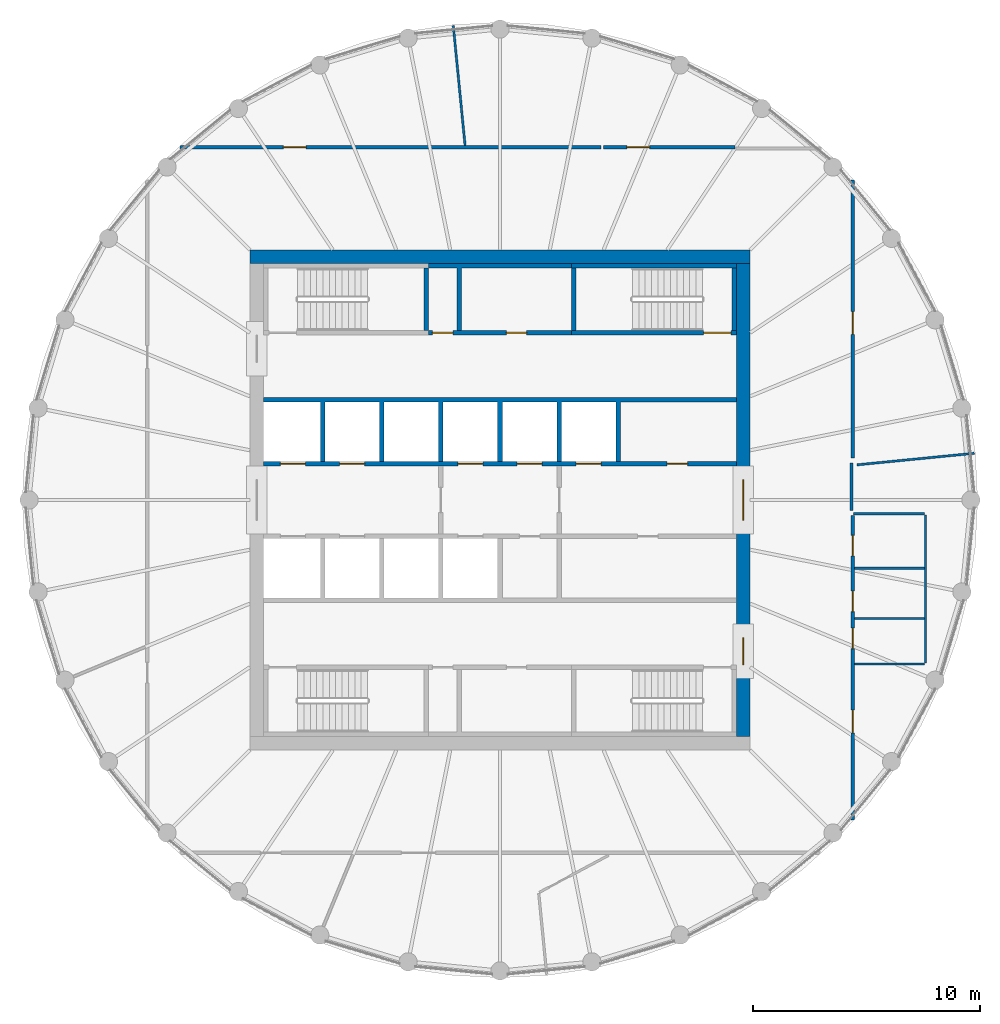
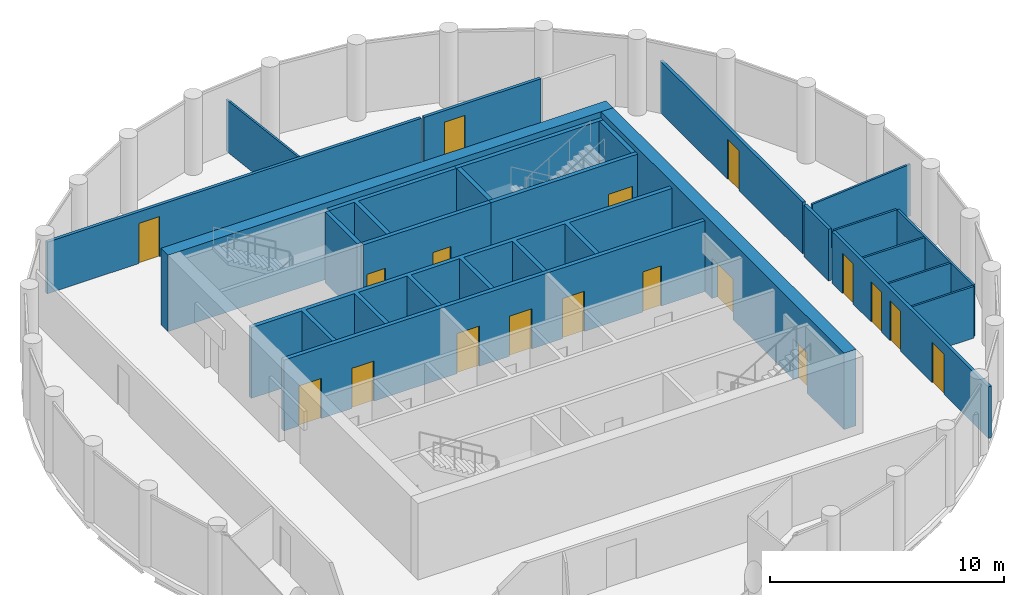
# One storey, part 5 of 7: 23 walls, 18 doors, 18 openings.
"""IFC4 building model written with IfcOpenShell, lengths in metres."""

from ifc_helpers import new_model, si_unit, direction, frame, frame_2d, origin, place, context, subcontext, project, spatial, polyline, rectangle, outline, extrude, material, layer, layer_set, type_object, element, fill, save


model = new_model("IFC4")

# Units and contexts
model_context = context("Model", 3, precision=1e-05, world=origin(), true_north=direction((0.0, 1.0)))
body_context = subcontext(model_context, "Body", "Model", "MODEL_VIEW")
ifc_project = project(units=[si_unit("LENGTHUNIT", "METRE"), si_unit("AREAUNIT", "SQUARE_METRE"), si_unit("VOLUMEUNIT", "CUBIC_METRE"), si_unit("PLANEANGLEUNIT", "RADIAN"), si_unit("MASSUNIT", "GRAM", prefix="KILO")], contexts=[model_context])

# Site, building, storey
site_placement = place(None, origin())
site = spatial("IfcSite", under=ifc_project, at=site_placement, CompositionType="ELEMENT")
building_placement = place(site_placement, origin())
building = spatial("IfcBuilding", under=site, at=building_placement, Name="Corvane Civic Tower", CompositionType="ELEMENT")
storey_placement = place(building_placement, frame((0.0, 0.0, 352.5)))
storey = spatial("IfcBuildingStorey", under=building, at=storey_placement, Name="L84", CompositionType="ELEMENT", Elevation=352.5)

# Wall
ifc_material_1 = material(Name="Concrete C40/50", Category="concrete")
ifc_layer_1 = layer(ifc_material_1, 0.60009765625)
ifc_layer_set_1 = layer_set([ifc_layer_1], Name="Concrete C40/50")
wall_type_1 = type_object("IfcWallType", Name="CORE WALL 600 C40/50", PredefinedType="SHEAR", material=ifc_layer_set_1)
wall_1_placement = place(storey_placement, frame((-11.0, 10.699951171875, 0.0), z_axis=(0.0, 0.0, 1.0), x_axis=(1.0, 0.0, 0.0)))
element("IfcWall", 1, at=wall_1_placement, inside=storey, type_object=wall_type_1, Name="W-L84-core-N", PredefinedType="SHEAR", context=body_context, shape_type="SweptSolid", body=[
    extrude(rectangle(XDim=22.0, YDim=0.60009765625, at=frame_2d((11.0, 0.0))), origin(), (0.0, 0.0, 1.0), 4.0),
])

# Wall, openings, doors
wall_2_placement = place(storey_placement, frame((10.699951171875, -10.39990234375, 0.0), z_axis=(0.0, 0.0, 1.0), x_axis=(0.0, 1.0, 0.0)))
wall_2 = element("IfcWall", 2, at=wall_2_placement, inside=storey, type_object=wall_type_1, Name="W-L84-core-E", PredefinedType="SHEAR", context=body_context, shape_type="SweptSolid", body=[
    extrude(rectangle(XDim=20.7998046875, YDim=0.60009765625, at=frame_2d((10.39990234375, 0.0))), origin(), (0.0, 0.0, 1.0), 4.0),
])
opening_1_placement = place(wall_2_placement, frame((9.5, 0.0, 0.0)))
opening_1 = element("IfcOpeningElement", 3, at=opening_1_placement, cuts=wall_2, Name="Opening L84.C15", PredefinedType="OPENING", context=body_context, shape_type="SweptSolid", body=[
    extrude(rectangle(XDim=1.800048828125, YDim=2.10009765625, at=frame_2d((0.89990234375, 1.050048828125))), frame((0.0, 0.31005859375, 0.0), z_axis=(0.0, -1.0, 0.0), x_axis=(1.0, 0.0, 0.0)), (0.0, 0.0, 1.0), 0.6201171875),
])
opening_2_placement = place(wall_2_placement, frame((3.14990234375, 0.0, 0.0)))
opening_2 = element("IfcOpeningElement", 4, at=opening_2_placement, cuts=wall_2, Name="Opening L84.C17", PredefinedType="OPENING", context=body_context, shape_type="SweptSolid", body=[
    extrude(rectangle(XDim=1.199951171875, YDim=2.10009765625, at=frame_2d((0.60009765625, 1.050048828125))), frame((0.0, 0.31005859375, 0.0), z_axis=(0.0, -1.0, 0.0), x_axis=(1.0, 0.0, 0.0)), (0.0, 0.0, 1.0), 0.6201171875),
])
ifc_material_2 = material(Name="Steel fire door leaf", Category="steel")
door_type_1 = type_object("IfcDoorType", Name="CR-DOOR-CORE-1800", OperationType="DOUBLE_DOOR_SINGLE_SWING", PredefinedType="DOOR", material=ifc_material_2)
door_1_placement = place(opening_1_placement, origin())
door_1 = element("IfcDoor", 5, at=door_1_placement, inside=storey, type_object=door_type_1, Name="L84 door", OperationType="DOUBLE_DOOR_SINGLE_SWING", OverallHeight=2.10009765625, OverallWidth=1.800048828125, PredefinedType="DOOR", context=body_context, shape_type="SweptSolid", body=[
    extrude(rectangle(XDim=1.800048828125, YDim=2.10009765625, at=frame_2d((0.89990234375, 1.050048828125))), frame((0.0, 0.02490234375, 0.0), z_axis=(0.0, -1.0, 0.0), x_axis=(1.0, 0.0, 0.0)), (0.0, 0.0, 1.0), 0.050048828125),
])
fill(opening_1, door_1)
door_2_placement = place(opening_2_placement, origin())
door_2 = element("IfcDoor", 6, at=door_2_placement, inside=storey, type_object=door_type_1, Name="L84 door", OperationType="DOUBLE_DOOR_SINGLE_SWING", OverallHeight=2.10009765625, OverallWidth=1.199951171875, PredefinedType="DOOR", context=body_context, shape_type="SweptSolid", body=[
    extrude(rectangle(XDim=1.199951171875, YDim=2.10009765625, at=frame_2d((0.60009765625, 1.050048828125))), frame((0.0, 0.02490234375, 0.0), z_axis=(0.0, -1.0, 0.0), x_axis=(1.0, 0.0, 0.0)), (0.0, 0.0, 1.0), 0.050048828125),
])
fill(opening_2, door_2)

ifc_material_3 = material(Name="Concrete C30/37", Category="concrete")
ifc_layer_2 = layer(ifc_material_3, 0.199951171875)
ifc_layer_set_2 = layer_set([ifc_layer_2], Name="Concrete C30/37")
wall_type_2 = type_object("IfcWallType", Name="CR-WALL-200", PredefinedType="PARTITIONING", material=ifc_layer_set_2)
wall_3_placement = place(storey_placement, frame((-10.39990234375, 1.60009765625, 0.0), z_axis=(0.0, 0.0, 1.0), x_axis=(1.0, 0.0, 0.0)))
wall_3 = element("IfcWall", 7, at=wall_3_placement, inside=storey, type_object=wall_type_2, Name="L84 lift shaft wall", PredefinedType="PARTITIONING", context=body_context, shape_type="SweptSolid", body=[
    extrude(rectangle(XDim=20.7998046875, YDim=0.199951171875, at=frame_2d((10.39990234375, 0.0))), origin(), (0.0, 0.0, 1.0), 3.699951171875),
])
opening_3_placement = place(wall_3_placement, frame((0.75, 0.0, 0.0)))
opening_3 = element("IfcOpeningElement", 8, at=opening_3_placement, cuts=wall_3, Name="Opening LD", PredefinedType="OPENING", context=body_context, shape_type="SweptSolid", body=[
    extrude(rectangle(XDim=1.10009765625, YDim=2.10009765625, at=frame_2d((0.550048828125, 1.050048828125))), frame((0.0, 0.10986328125, 0.0), z_axis=(0.0, -1.0, 0.0), x_axis=(1.0, 0.0, 0.0)), (0.0, 0.0, 1.0), 0.219970703125),
])
opening_4_placement = place(wall_3_placement, frame((3.35009765625, 0.0, 0.0)))
opening_4 = element("IfcOpeningElement", 9, at=opening_4_placement, cuts=wall_3, Name="Opening LD", PredefinedType="OPENING", context=body_context, shape_type="SweptSolid", body=[
    extrude(rectangle(XDim=1.10009765625, YDim=2.10009765625, at=frame_2d((0.550048828125, 1.050048828125))), frame((0.0, 0.10986328125, 0.0), z_axis=(0.0, -1.0, 0.0), x_axis=(1.0, 0.0, 0.0)), (0.0, 0.0, 1.0), 0.219970703125),
])
opening_5_placement = place(wall_3_placement, frame((8.550048828125, 0.0, 0.0)))
opening_5 = element("IfcOpeningElement", 10, at=opening_5_placement, cuts=wall_3, Name="Opening LD", PredefinedType="OPENING", context=body_context, shape_type="SweptSolid", body=[
    extrude(rectangle(XDim=1.10009765625, YDim=2.10009765625, at=frame_2d((0.550048828125, 1.050048828125))), frame((0.0, 0.10986328125, 0.0), z_axis=(0.0, -1.0, 0.0), x_axis=(1.0, 0.0, 0.0)), (0.0, 0.0, 1.0), 0.219970703125),
])
opening_6_placement = place(wall_3_placement, frame((11.14990234375, 0.0, 0.0)))
opening_6 = element("IfcOpeningElement", 11, at=opening_6_placement, cuts=wall_3, Name="Opening LD", PredefinedType="OPENING", context=body_context, shape_type="SweptSolid", body=[
    extrude(rectangle(XDim=1.10009765625, YDim=2.10009765625, at=frame_2d((0.550048828125, 1.050048828125))), frame((0.0, 0.10986328125, 0.0), z_axis=(0.0, -1.0, 0.0), x_axis=(1.0, 0.0, 0.0)), (0.0, 0.0, 1.0), 0.219970703125),
])
opening_7_placement = place(wall_3_placement, frame((13.75, 0.0, 0.0)))
opening_7 = element("IfcOpeningElement", 12, at=opening_7_placement, cuts=wall_3, Name="Opening LD", PredefinedType="OPENING", context=body_context, shape_type="SweptSolid", body=[
    extrude(rectangle(XDim=1.10009765625, YDim=2.10009765625, at=frame_2d((0.550048828125, 1.050048828125))), frame((0.0, 0.10986328125, 0.0), z_axis=(0.0, -1.0, 0.0), x_axis=(1.0, 0.0, 0.0)), (0.0, 0.0, 1.0), 0.219970703125),
])
opening_8_placement = place(wall_3_placement, frame((17.75, 0.0, 0.0)))
opening_8 = element("IfcOpeningElement", 13, at=opening_8_placement, cuts=wall_3, Name="Opening L84.C01", PredefinedType="OPENING", context=body_context, shape_type="SweptSolid", body=[
    extrude(rectangle(XDim=0.89990234375, YDim=2.10009765625, at=frame_2d((0.449951171875, 1.050048828125))), frame((0.0, 0.10986328125, 0.0), z_axis=(0.0, -1.0, 0.0), x_axis=(1.0, 0.0, 0.0)), (0.0, 0.0, 1.0), 0.219970703125),
])
ifc_material_4 = material(Name="Steel fire door leaf", Category="steel")
door_type_2 = type_object("IfcDoorType", Name="CR-DOOR-900", OperationType="SINGLE_SWING_LEFT", PredefinedType="DOOR", material=ifc_material_4)
door_3_placement = place(opening_8_placement, origin())
door_3 = element("IfcDoor", 14, at=door_3_placement, inside=storey, type_object=door_type_2, Name="L84 door", OperationType="SINGLE_SWING_LEFT", OverallHeight=2.10009765625, OverallWidth=0.89990234375, PredefinedType="DOOR", context=body_context, shape_type="SweptSolid", body=[
    extrude(rectangle(XDim=0.89990234375, YDim=2.10009765625, at=frame_2d((0.449951171875, 1.050048828125))), frame((0.0, 0.02490234375, 0.0), z_axis=(0.0, -1.0, 0.0), x_axis=(1.0, 0.0, 0.0)), (0.0, 0.0, 1.0), 0.050048828125),
])
fill(opening_8, door_3)
ifc_material_5 = material(Name="Stainless steel 316 door leaves", Category="steel")
door_type_3 = type_object("IfcDoorType", Name="LD", OperationType="DOUBLE_DOOR_SLIDING", PredefinedType="DOOR", material=ifc_material_5)
door_4_placement = place(opening_3_placement, origin())
door_4 = element("IfcDoor", 15, at=door_4_placement, inside=storey, type_object=door_type_3, Name="L84 landing door", OperationType="DOUBLE_DOOR_SLIDING", OverallHeight=2.10009765625, OverallWidth=1.10009765625, PredefinedType="DOOR", context=body_context, shape_type="SweptSolid", body=[
    extrude(rectangle(XDim=1.10009765625, YDim=2.10009765625, at=frame_2d((0.550048828125, 1.050048828125))), frame((0.0, 0.02490234375, 0.0), z_axis=(0.0, -1.0, 0.0), x_axis=(1.0, 0.0, 0.0)), (0.0, 0.0, 1.0), 0.050048828125),
])
fill(opening_3, door_4)
door_5_placement = place(opening_4_placement, origin())
door_5 = element("IfcDoor", 16, at=door_5_placement, inside=storey, type_object=door_type_3, Name="L84 landing door", OperationType="DOUBLE_DOOR_SLIDING", OverallHeight=2.10009765625, OverallWidth=1.10009765625, PredefinedType="DOOR", context=body_context, shape_type="SweptSolid", body=[
    extrude(rectangle(XDim=1.10009765625, YDim=2.10009765625, at=frame_2d((0.550048828125, 1.050048828125))), frame((0.0, 0.02490234375, 0.0), z_axis=(0.0, -1.0, 0.0), x_axis=(1.0, 0.0, 0.0)), (0.0, 0.0, 1.0), 0.050048828125),
])
fill(opening_4, door_5)
door_6_placement = place(opening_5_placement, origin())
door_6 = element("IfcDoor", 17, at=door_6_placement, inside=storey, type_object=door_type_3, Name="L84 landing door", OperationType="DOUBLE_DOOR_SLIDING", OverallHeight=2.10009765625, OverallWidth=1.10009765625, PredefinedType="DOOR", context=body_context, shape_type="SweptSolid", body=[
    extrude(rectangle(XDim=1.10009765625, YDim=2.10009765625, at=frame_2d((0.550048828125, 1.050048828125))), frame((0.0, 0.02490234375, 0.0), z_axis=(0.0, -1.0, 0.0), x_axis=(1.0, 0.0, 0.0)), (0.0, 0.0, 1.0), 0.050048828125),
])
fill(opening_5, door_6)
door_7_placement = place(opening_6_placement, origin())
door_7 = element("IfcDoor", 18, at=door_7_placement, inside=storey, type_object=door_type_3, Name="L84 landing door", OperationType="DOUBLE_DOOR_SLIDING", OverallHeight=2.10009765625, OverallWidth=1.10009765625, PredefinedType="DOOR", context=body_context, shape_type="SweptSolid", body=[
    extrude(rectangle(XDim=1.10009765625, YDim=2.10009765625, at=frame_2d((0.550048828125, 1.050048828125))), frame((0.0, 0.02490234375, 0.0), z_axis=(0.0, -1.0, 0.0), x_axis=(1.0, 0.0, 0.0)), (0.0, 0.0, 1.0), 0.050048828125),
])
fill(opening_6, door_7)
door_8_placement = place(opening_7_placement, origin())
door_8 = element("IfcDoor", 19, at=door_8_placement, inside=storey, type_object=door_type_3, Name="L84 landing door", OperationType="DOUBLE_DOOR_SLIDING", OverallHeight=2.10009765625, OverallWidth=1.10009765625, PredefinedType="DOOR", context=body_context, shape_type="SweptSolid", body=[
    extrude(rectangle(XDim=1.10009765625, YDim=2.10009765625, at=frame_2d((0.550048828125, 1.050048828125))), frame((0.0, 0.02490234375, 0.0), z_axis=(0.0, -1.0, 0.0), x_axis=(1.0, 0.0, 0.0)), (0.0, 0.0, 1.0), 0.050048828125),
])
fill(opening_7, door_8)

wall_4_placement = place(storey_placement, frame((-3.14990234375, 7.35009765625, 0.0), z_axis=(0.0, 0.0, 1.0), x_axis=(1.0, 0.0, 0.0)))
wall_4 = element("IfcWall", 20, at=wall_4_placement, inside=storey, type_object=wall_type_2, Name="L84 core partition wall", PredefinedType="PARTITIONING", context=body_context, shape_type="SweptSolid", body=[
    extrude(rectangle(XDim=6.2998046875, YDim=0.199951171875, at=frame_2d((3.14990234375, 0.0))), origin(), (0.0, 0.0, 1.0), 3.699951171875),
])
opening_9_placement = place(wall_4_placement, frame((0.175048828125, 0.0, 0.0)))
opening_9 = element("IfcOpeningElement", 21, at=opening_9_placement, cuts=wall_4, Name="Opening L84.C04", PredefinedType="OPENING", context=body_context, shape_type="SweptSolid", body=[
    extrude(rectangle(XDim=0.89990234375, YDim=2.10009765625, at=frame_2d((0.449951171875, 1.050048828125))), frame((0.0, 0.10986328125, 0.0), z_axis=(0.0, -1.0, 0.0), x_axis=(1.0, 0.0, 0.0)), (0.0, 0.0, 1.0), 0.219970703125),
])
opening_10_placement = place(wall_4_placement, frame((3.425048828125, 0.0, 0.0)))
opening_10 = element("IfcOpeningElement", 22, at=opening_10_placement, cuts=wall_4, Name="Opening L84.C05", PredefinedType="OPENING", context=body_context, shape_type="SweptSolid", body=[
    extrude(rectangle(XDim=0.89990234375, YDim=2.10009765625, at=frame_2d((0.449951171875, 1.050048828125))), frame((0.0, 0.10986328125, 0.0), z_axis=(0.0, -1.0, 0.0), x_axis=(1.0, 0.0, 0.0)), (0.0, 0.0, 1.0), 0.219970703125),
])
door_9_placement = place(opening_9_placement, origin())
door_9 = element("IfcDoor", 23, at=door_9_placement, inside=storey, type_object=door_type_2, Name="L84 door", OperationType="SINGLE_SWING_LEFT", OverallHeight=2.10009765625, OverallWidth=0.89990234375, PredefinedType="DOOR", context=body_context, shape_type="SweptSolid", body=[
    extrude(rectangle(XDim=0.89990234375, YDim=2.10009765625, at=frame_2d((0.449951171875, 1.050048828125))), frame((0.0, 0.02490234375, 0.0), z_axis=(0.0, -1.0, 0.0), x_axis=(1.0, 0.0, 0.0)), (0.0, 0.0, 1.0), 0.050048828125),
])
fill(opening_9, door_9)
door_10_placement = place(opening_10_placement, origin())
door_10 = element("IfcDoor", 24, at=door_10_placement, inside=storey, type_object=door_type_2, Name="L84 door", OperationType="SINGLE_SWING_LEFT", OverallHeight=2.10009765625, OverallWidth=0.89990234375, PredefinedType="DOOR", context=body_context, shape_type="SweptSolid", body=[
    extrude(rectangle(XDim=0.89990234375, YDim=2.10009765625, at=frame_2d((0.449951171875, 1.050048828125))), frame((0.0, 0.02490234375, 0.0), z_axis=(0.0, -1.0, 0.0), x_axis=(1.0, 0.0, 0.0)), (0.0, 0.0, 1.0), 0.050048828125),
])
fill(opening_10, door_10)

# Walls
wall_5_placement = place(storey_placement, origin())
element("IfcWall", 25, at=wall_5_placement, inside=storey, type_object=wall_type_2, Name="L84 core partition wall", PredefinedType="PARTITIONING", context=body_context, shape_type="SweptSolid", body=[
    extrude(outline(polyline([(-7.699951171875, 1.699951171875), (-7.89990234375, 1.699951171875), (-7.89990234375, 4.300048828125), (-10.39990234375, 4.300048828125), (-10.39990234375, 4.5), (10.39990234375, 4.5), (10.39990234375, 4.300048828125), (5.300048828125, 4.300048828125), (5.300048828125, 1.699951171875), (5.10009765625, 1.699951171875), (5.10009765625, 4.300048828125), (2.699951171875, 4.300048828125), (2.699951171875, 1.699951171875), (2.5, 1.699951171875), (2.5, 4.300048828125), (0.10009765625, 4.300048828125), (0.10009765625, 1.699951171875), (-0.10009765625, 1.699951171875), (-0.10009765625, 4.300048828125), (-2.5, 4.300048828125), (-2.5, 1.699951171875), (-2.699951171875, 1.699951171875), (-2.699951171875, 4.300048828125), (-5.10009765625, 4.300048828125), (-5.10009765625, 1.699951171875), (-5.300048828125, 1.699951171875), (-5.300048828125, 4.300048828125), (-7.699951171875, 4.300048828125), (-7.699951171875, 1.699951171875)])), origin(), (0.0, 0.0, 1.0), 3.699951171875),
])
wall_6_placement = place(storey_placement, origin())
element("IfcWall", 26, at=wall_6_placement, inside=storey, type_object=wall_type_2, Name="L84 core partition wall", PredefinedType="PARTITIONING", context=body_context, shape_type="SweptSolid", body=[
    extrude(outline(polyline([(-1.699951171875, 7.449951171875), (-1.89990234375, 7.449951171875), (-1.89990234375, 10.199951171875), (-3.14990234375, 10.199951171875), (-3.14990234375, 10.39990234375), (3.14990234375, 10.39990234375), (3.14990234375, 10.199951171875), (-1.699951171875, 10.199951171875), (-1.699951171875, 7.449951171875)])), origin(), (0.0, 0.0, 1.0), 3.699951171875),
])
ifc_material_6 = material(Name="Plasterboard")
ifc_layer_3 = layer(ifc_material_6, 0.10009765625)
ifc_layer_set_3 = layer_set([ifc_layer_3], Name="Plasterboard")
wall_type_3 = type_object("IfcWallType", Name="Partition 100 plasterboard on studs", PredefinedType="PARTITIONING", material=ifc_layer_set_3)
wall_7_placement = place(storey_placement, frame((15.574951171875, -7.20458984375, 0.0), z_axis=(0.0, 0.0, 1.0), x_axis=(1.0, 0.0, 0.0)))
element("IfcWall", 27, at=wall_7_placement, inside=storey, type_object=wall_type_3, Name="Partition L84.008", PredefinedType="PARTITIONING", context=body_context, shape_type="SweptSolid", body=[
    extrude(rectangle(XDim=3.074951171875, YDim=0.10009765625, at=frame_2d((1.53759765625, 0.0))), origin(), (0.0, 0.0, 1.0), 2.699951171875),
])
wall_8_placement = place(storey_placement, frame((18.699951171875, -7.154541015625, 0.0), z_axis=(0.0, 0.0, 1.0), x_axis=(0.0, 1.0, 0.0)))
element("IfcWall", 28, at=wall_8_placement, inside=storey, type_object=wall_type_3, Name="Partition L84.009", PredefinedType="PARTITIONING", context=body_context, shape_type="SweptSolid", body=[
    extrude(rectangle(XDim=6.5, YDim=0.10009765625, at=frame_2d((3.25, 0.0))), origin(), (0.0, 0.0, 1.0), 2.699951171875),
])
for number, where, z_axis, x_axis, name in (
    (29, (15.574951171875, -5.20458984375, 0.0), (0.0, 0.0, 1.0), (1.0, 0.0, 0.0), "Partition L84.010"),
    (30, (15.574951171875, -3.004638671875, 0.0), (0.0, 0.0, 1.0), (1.0, 0.0, 0.0), "Partition L84.011"),
):
    element("IfcWall", number, at=place(storey_placement, frame(where, z_axis=z_axis, x_axis=x_axis)), inside=storey, type_object=wall_type_3, Name=name, PredefinedType="PARTITIONING", context=body_context, shape_type="SweptSolid", body=[
        extrude(rectangle(XDim=3.074951171875, YDim=0.10009765625, at=frame_2d((1.53759765625, 0.0))), origin(), (0.0, 0.0, 1.0), 2.699951171875),
    ])
wall_9_placement = place(storey_placement, frame((15.550048828125, -0.6044921875, 0.0), z_axis=(0.0, 0.0, 1.0), x_axis=(1.0, 0.0, 0.0)))
element("IfcWall", 31, at=wall_9_placement, inside=storey, type_object=wall_type_3, Name="Partition L84.012", PredefinedType="PARTITIONING", context=body_context, shape_type="SweptSolid", body=[
    extrude(rectangle(XDim=3.099853515625, YDim=0.10009765625, at=frame_2d((1.5498046875, 0.0))), origin(), (0.0, 0.0, 1.0), 2.699951171875),
])
wall_10_placement = place(storey_placement, frame((15.69970703125, 1.54638671875, 0.0), z_axis=(0.0, 0.0, 1.0), x_axis=(0.995186931694, 0.097994749781, 0.0)))
element("IfcWall", 32, at=wall_10_placement, inside=storey, type_object=wall_type_3, Name="Partition L84.014", PredefinedType="PARTITIONING", context=body_context, shape_type="SweptSolid", body=[
    extrude(rectangle(XDim=5.174560546875, YDim=0.10009765625, at=frame_2d((2.58740234375, 0.0))), origin(), (0.0, 0.0, 1.0), 2.699951171875),
])
wall_11_placement = place(storey_placement, frame((-2.053466796875, 20.849365234375, 0.0), z_axis=(0.0, 0.0, 1.0), x_axis=(0.098024517427, -0.995184000064, 0.0)))
element("IfcWall", 33, at=wall_11_placement, inside=storey, type_object=wall_type_3, Name="Partition L84.019", PredefinedType="PARTITIONING", context=body_context, shape_type="SweptSolid", body=[
    extrude(rectangle(XDim=5.294921875, YDim=0.10009765625, at=frame_2d((2.6474609375, 0.0))), origin(), (0.0, 0.0, 1.0), 2.699951171875),
])

# Wall, opening, door
ifc_material_7 = material(Name="Concrete C50/60", Category="concrete")
ifc_layer_4 = layer(ifc_material_7, 0.199951171875)
ifc_layer_set_4 = layer_set([ifc_layer_4], Name="Concrete C50/60")
wall_type_4 = type_object("IfcWallType", Name="ST-WALL-200", PredefinedType="SHEAR", material=ifc_layer_set_4)
wall_12_placement = place(storey_placement, frame((3.14990234375, 7.35009765625, 0.0), z_axis=(0.0, 0.0, 1.0), x_axis=(1.0, 0.0, 0.0)))
wall_12 = element("IfcWall", 34, at=wall_12_placement, inside=storey, type_object=wall_type_4, Name="L84 stair enclosure wall", PredefinedType="SHEAR", context=body_context, shape_type="SweptSolid", body=[
    extrude(rectangle(XDim=7.25, YDim=0.199951171875, at=frame_2d((3.625, 0.0))), origin(), (0.0, 0.0, 1.0), 3.699951171875),
])
opening_11_placement = place(wall_12_placement, frame((5.800048828125, 0.0, 0.0)))
opening_11 = element("IfcOpeningElement", 35, at=opening_11_placement, cuts=wall_12, Name="Opening L84.C08", PredefinedType="OPENING", context=body_context, shape_type="SweptSolid", body=[
    extrude(rectangle(XDim=1.199951171875, YDim=2.10009765625, at=frame_2d((0.60009765625, 1.050048828125))), frame((0.0, 0.10986328125, 0.0), z_axis=(0.0, -1.0, 0.0), x_axis=(1.0, 0.0, 0.0)), (0.0, 0.0, 1.0), 0.219970703125),
])
ifc_material_8 = material(Name="Steel fire door leaf", Category="steel")
door_type_4 = type_object("IfcDoorType", Name="ST-DOOR-1200", OperationType="SINGLE_SWING_RIGHT", PredefinedType="DOOR", material=ifc_material_8)
door_11_placement = place(opening_11_placement, origin())
door_11 = element("IfcDoor", 36, at=door_11_placement, inside=storey, type_object=door_type_4, Name="L84 stair door", OperationType="SINGLE_SWING_RIGHT", OverallHeight=2.10009765625, OverallWidth=1.199951171875, PredefinedType="DOOR", context=body_context, shape_type="SweptSolid", body=[
    extrude(rectangle(XDim=1.199951171875, YDim=2.10009765625, at=frame_2d((0.60009765625, 1.050048828125))), frame((0.0, 0.02490234375, 0.0), z_axis=(0.0, -1.0, 0.0), x_axis=(1.0, 0.0, 0.0)), (0.0, 0.0, 1.0), 0.050048828125),
])
fill(opening_11, door_11)

# Walls
wall_13_placement = place(storey_placement, origin())
element("IfcWall", 37, at=wall_13_placement, inside=storey, type_object=wall_type_4, Name="L84 stair enclosure wall", PredefinedType="SHEAR", context=body_context, shape_type="SweptSolid", body=[
    extrude(outline(polyline([(10.39990234375, 10.199951171875), (3.14990234375, 10.199951171875), (3.14990234375, 10.39990234375), (10.39990234375, 10.39990234375), (10.39990234375, 10.199951171875)])), origin(), (0.0, 0.0, 1.0), 3.699951171875),
])
wall_14_placement = place(storey_placement, origin())
element("IfcWall", 38, at=wall_14_placement, inside=storey, type_object=wall_type_4, Name="L84 stair enclosure wall", PredefinedType="SHEAR", context=body_context, shape_type="SweptSolid", body=[
    extrude(outline(polyline([(-3.14990234375, 7.449951171875), (-3.35009765625, 7.449951171875), (-3.35009765625, 10.199951171875), (-3.14990234375, 10.199951171875), (-3.14990234375, 7.449951171875)])), origin(), (0.0, 0.0, 1.0), 3.699951171875),
])
wall_15_placement = place(storey_placement, origin())
element("IfcWall", 39, at=wall_15_placement, inside=storey, type_object=wall_type_4, Name="L84 stair enclosure wall", PredefinedType="SHEAR", context=body_context, shape_type="SweptSolid", body=[
    extrude(outline(polyline([(3.35009765625, 7.449951171875), (3.14990234375, 7.449951171875), (3.14990234375, 10.199951171875), (3.35009765625, 10.199951171875), (3.35009765625, 7.449951171875)])), origin(), (0.0, 0.0, 1.0), 3.699951171875),
])
wall_16_placement = place(storey_placement, origin())
element("IfcWall", 40, at=wall_16_placement, inside=storey, type_object=wall_type_4, Name="L84 stair enclosure wall", PredefinedType="SHEAR", context=body_context, shape_type="SweptSolid", body=[
    extrude(outline(polyline([(10.39990234375, 7.449951171875), (10.199951171875, 7.449951171875), (10.199951171875, 10.199951171875), (10.39990234375, 10.199951171875), (10.39990234375, 7.449951171875)])), origin(), (0.0, 0.0, 1.0), 3.699951171875),
])

# Wall, openings, doors
ifc_material_9 = material(Name="Plasterboard")
ifc_layer_5 = layer(ifc_material_9, 0.14990234375)
ifc_layer_set_5 = layer_set([ifc_layer_5], Name="Plasterboard")
wall_type_5 = type_object("IfcWallType", Name="Tenancy wall 150 EI 60", PredefinedType="PARTITIONING", material=ifc_layer_set_5)
wall_17_placement = place(storey_placement, frame((15.5, -14.05712890625, 0.0), z_axis=(0.0, 0.0, 1.0), x_axis=(0.0, 1.0, 0.0)))
wall_17 = element("IfcWall", 41, at=wall_17_placement, inside=storey, type_object=wall_type_5, Name="Partition L84.006", PredefinedType="PARTITIONING", context=body_context, shape_type="SweptSolid", body=[
    extrude(rectangle(XDim=13.37744140625, YDim=0.14990234375, at=frame_2d((6.688720703125, 0.0))), origin(), (0.0, 0.0, 1.0), 2.699951171875),
])
opening_12_placement = place(wall_17_placement, frame((3.817138671875, 0.0, 0.0)))
opening_12 = element("IfcOpeningElement", 42, at=opening_12_placement, cuts=wall_17, Name="Opening L84.007", PredefinedType="OPENING", context=body_context, shape_type="SweptSolid", body=[
    extrude(rectangle(XDim=1.0, YDim=2.10009765625, at=frame_2d((0.5, 1.050048828125))), frame((0.0, 0.0849609375, 0.0), z_axis=(0.0, -1.0, 0.0), x_axis=(1.0, 0.0, 0.0)), (0.0, 0.0, 1.0), 0.169921875),
])
opening_13_placement = place(wall_17_placement, frame((11.605712890625, 0.0, 0.0)))
opening_13 = element("IfcOpeningElement", 43, at=opening_13_placement, cuts=wall_17, Name="Opening L84.008", PredefinedType="OPENING", context=body_context, shape_type="SweptSolid", body=[
    extrude(rectangle(XDim=0.89990234375, YDim=2.10009765625, at=frame_2d((0.449951171875, 1.050048828125))), frame((0.0, 0.0849609375, 0.0), z_axis=(0.0, -1.0, 0.0), x_axis=(1.0, 0.0, 0.0)), (0.0, 0.0, 1.0), 0.169921875),
])
opening_14_placement = place(wall_17_placement, frame((9.1533203125, 0.0, 0.0)))
opening_14 = element("IfcOpeningElement", 44, at=opening_14_placement, cuts=wall_17, Name="Opening L84.009", PredefinedType="OPENING", context=body_context, shape_type="SweptSolid", body=[
    extrude(rectangle(XDim=0.89990234375, YDim=2.10009765625, at=frame_2d((0.449951171875, 1.050048828125))), frame((0.0, 0.0849609375, 0.0), z_axis=(0.0, -1.0, 0.0), x_axis=(1.0, 0.0, 0.0)), (0.0, 0.0, 1.0), 0.169921875),
])
opening_15_placement = place(wall_17_placement, frame((7.529296875, 0.0, 0.0)))
opening_15 = element("IfcOpeningElement", 45, at=opening_15_placement, cuts=wall_17, Name="Opening L84.010", PredefinedType="OPENING", context=body_context, shape_type="SweptSolid", body=[
    extrude(rectangle(XDim=0.89990234375, YDim=2.10009765625, at=frame_2d((0.449951171875, 1.050048828125))), frame((0.0, 0.0849609375, 0.0), z_axis=(0.0, -1.0, 0.0), x_axis=(1.0, 0.0, 0.0)), (0.0, 0.0, 1.0), 0.169921875),
])
ifc_material_10 = material(Name="Steel and timber", Category="steel")
door_type_5 = type_object("IfcDoorType", Name="Fire door FD30S 1000", OperationType="NOTDEFINED", PredefinedType="DOOR", material=ifc_material_10)
door_12_placement = place(opening_12_placement, frame((1.0, 0.0, 0.0), z_axis=(0.0, 0.0, 1.0), x_axis=(-1.0, 0.0, 0.0)))
door_12 = element("IfcDoor", 46, at=door_12_placement, inside=storey, type_object=door_type_5, Name="Door L84.007", OperationType="SINGLE_SWING_LEFT", OverallHeight=2.10009765625, OverallWidth=1.0, PredefinedType="DOOR", context=body_context, shape_type="SweptSolid", body=[
    extrude(rectangle(XDim=1.0, YDim=2.10009765625, at=frame_2d((0.5, 1.050048828125))), frame((0.0, 0.02490234375, 0.0), z_axis=(0.0, -1.0, 0.0), x_axis=(1.0, 0.0, 0.0)), (0.0, 0.0, 1.0), 0.050048828125),
])
fill(opening_12, door_12)
ifc_material_11 = material(Name="Steel and timber", Category="steel")
door_type_6 = type_object("IfcDoorType", Name="Fire door FD30S 900", OperationType="NOTDEFINED", PredefinedType="DOOR", material=ifc_material_11)
door_13_placement = place(opening_13_placement, frame((0.89990234375, 0.0, 0.0), z_axis=(0.0, 0.0, 1.0), x_axis=(-1.0, 0.0, 0.0)))
door_13 = element("IfcDoor", 47, at=door_13_placement, inside=storey, type_object=door_type_6, Name="Door L84.008", OperationType="SINGLE_SWING_RIGHT", OverallHeight=2.10009765625, OverallWidth=0.89990234375, PredefinedType="DOOR", context=body_context, shape_type="SweptSolid", body=[
    extrude(rectangle(XDim=0.89990234375, YDim=2.10009765625, at=frame_2d((0.449951171875, 1.050048828125))), frame((0.0, 0.02490234375, 0.0), z_axis=(0.0, -1.0, 0.0), x_axis=(1.0, 0.0, 0.0)), (0.0, 0.0, 1.0), 0.050048828125),
])
fill(opening_13, door_13)
door_14_placement = place(opening_14_placement, frame((0.89990234375, 0.0, 0.0), z_axis=(0.0, 0.0, 1.0), x_axis=(-1.0, 0.0, 0.0)))
door_14 = element("IfcDoor", 48, at=door_14_placement, inside=storey, type_object=door_type_6, Name="Door L84.009", OperationType="SINGLE_SWING_LEFT", OverallHeight=2.10009765625, OverallWidth=0.89990234375, PredefinedType="DOOR", context=body_context, shape_type="SweptSolid", body=[
    extrude(rectangle(XDim=0.89990234375, YDim=2.10009765625, at=frame_2d((0.449951171875, 1.050048828125))), frame((0.0, 0.02490234375, 0.0), z_axis=(0.0, -1.0, 0.0), x_axis=(1.0, 0.0, 0.0)), (0.0, 0.0, 1.0), 0.050048828125),
])
fill(opening_14, door_14)
door_15_placement = place(opening_15_placement, frame((0.89990234375, 0.0, 0.0), z_axis=(0.0, 0.0, 1.0), x_axis=(-1.0, 0.0, 0.0)))
door_15 = element("IfcDoor", 49, at=door_15_placement, inside=storey, type_object=door_type_6, Name="Door L84.010", OperationType="SINGLE_SWING_LEFT", OverallHeight=2.10009765625, OverallWidth=0.89990234375, PredefinedType="DOOR", context=body_context, shape_type="SweptSolid", body=[
    extrude(rectangle(XDim=0.89990234375, YDim=2.10009765625, at=frame_2d((0.449951171875, 1.050048828125))), frame((0.0, 0.02490234375, 0.0), z_axis=(0.0, -1.0, 0.0), x_axis=(1.0, 0.0, 0.0)), (0.0, 0.0, 1.0), 0.050048828125),
])
fill(opening_15, door_15)

# Wall
wall_18_placement = place(storey_placement, frame((15.449951171875, -0.460693359375, 0.0), z_axis=(0.0, 0.0, 1.0), x_axis=(0.0, 1.0, 0.0)))
element("IfcWall", 50, at=wall_18_placement, inside=storey, type_object=wall_type_5, Name="Partition L84.013", PredefinedType="PARTITIONING", context=body_context, shape_type="SweptSolid", body=[
    extrude(rectangle(XDim=2.096923828125, YDim=0.14990234375, at=frame_2d((1.04833984375, 0.0))), origin(), (0.0, 0.0, 1.0), 2.699951171875),
])

# Wall, opening, door
wall_19_placement = place(storey_placement, frame((15.5, 1.844482421875, 0.0), z_axis=(0.0, 0.0, 1.0), x_axis=(0.0, 1.0, 0.0)))
wall_19 = element("IfcWall", 51, at=wall_19_placement, inside=storey, type_object=wall_type_5, Name="Partition L84.015", PredefinedType="PARTITIONING", context=body_context, shape_type="SweptSolid", body=[
    extrude(rectangle(XDim=12.212646484375, YDim=0.14990234375, at=frame_2d((6.1064453125, 0.0))), origin(), (0.0, 0.0, 1.0), 2.699951171875),
])
opening_16_placement = place(wall_19_placement, frame((5.437255859375, 0.0, 0.0)))
opening_16 = element("IfcOpeningElement", 52, at=opening_16_placement, cuts=wall_19, Name="Opening L84.006", PredefinedType="OPENING", context=body_context, shape_type="SweptSolid", body=[
    extrude(rectangle(XDim=1.0, YDim=2.10009765625, at=frame_2d((0.5, 1.050048828125))), frame((0.0, 0.0849609375, 0.0), z_axis=(0.0, -1.0, 0.0), x_axis=(1.0, 0.0, 0.0)), (0.0, 0.0, 1.0), 0.169921875),
])
door_16_placement = place(opening_16_placement, frame((1.0, 0.0, 0.0), z_axis=(0.0, 0.0, 1.0), x_axis=(-1.0, 0.0, 0.0)))
door_16 = element("IfcDoor", 53, at=door_16_placement, inside=storey, type_object=door_type_5, Name="Door L84.006", OperationType="SINGLE_SWING_LEFT", OverallHeight=2.10009765625, OverallWidth=1.0, PredefinedType="DOOR", context=body_context, shape_type="SweptSolid", body=[
    extrude(rectangle(XDim=1.0, YDim=2.10009765625, at=frame_2d((0.5, 1.050048828125))), frame((0.0, 0.02490234375, 0.0), z_axis=(0.0, -1.0, 0.0), x_axis=(1.0, 0.0, 0.0)), (0.0, 0.0, 1.0), 0.050048828125),
])
fill(opening_16, door_16)

wall_20_placement = place(storey_placement, frame((-14.05712890625, 15.5, 0.0), z_axis=(0.0, 0.0, 1.0), x_axis=(1.0, 0.0, 0.0)))
wall_20 = element("IfcWall", 54, at=wall_20_placement, inside=storey, type_object=wall_type_5, Name="Partition L84.017", PredefinedType="PARTITIONING", context=body_context, shape_type="SweptSolid", body=[
    extrude(rectangle(XDim=18.489013671875, YDim=0.14990234375, at=frame_2d((9.24462890625, 0.0))), origin(), (0.0, 0.0, 1.0), 2.699951171875),
])
opening_17_placement = place(wall_20_placement, frame((4.53564453125, 0.0, 0.0)))
opening_17 = element("IfcOpeningElement", 55, at=opening_17_placement, cuts=wall_20, Name="Opening L84.004", PredefinedType="OPENING", context=body_context, shape_type="SweptSolid", body=[
    extrude(rectangle(XDim=1.0, YDim=2.10009765625, at=frame_2d((0.5, 1.050048828125))), frame((0.0, 0.0849609375, 0.0), z_axis=(0.0, -1.0, 0.0), x_axis=(1.0, 0.0, 0.0)), (0.0, 0.0, 1.0), 0.169921875),
])
door_17_placement = place(opening_17_placement, origin())
door_17 = element("IfcDoor", 56, at=door_17_placement, inside=storey, type_object=door_type_5, Name="Door L84.004", OperationType="SINGLE_SWING_LEFT", OverallHeight=2.10009765625, OverallWidth=1.0, PredefinedType="DOOR", context=body_context, shape_type="SweptSolid", body=[
    extrude(rectangle(XDim=1.0, YDim=2.10009765625, at=frame_2d((0.5, 1.050048828125))), frame((0.0, 0.02490234375, 0.0), z_axis=(0.0, -1.0, 0.0), x_axis=(1.0, 0.0, 0.0)), (0.0, 0.0, 1.0), 0.050048828125),
])
fill(opening_17, door_17)

wall_21_placement = place(storey_placement, frame((4.5595703125, 15.5, 0.0), z_axis=(0.0, 0.0, 1.0), x_axis=(1.0, 0.0, 0.0)))
wall_21 = element("IfcWall", 57, at=wall_21_placement, inside=storey, type_object=wall_type_5, Name="Partition L84.018", PredefinedType="PARTITIONING", context=body_context, shape_type="SweptSolid", body=[
    extrude(rectangle(XDim=5.771240234375, YDim=0.14990234375, at=frame_2d((2.8857421875, 0.0))), origin(), (0.0, 0.0, 1.0), 2.699951171875),
])
opening_18_placement = place(wall_21_placement, frame((1.015380859375, 0.0, 0.0)))
opening_18 = element("IfcOpeningElement", 58, at=opening_18_placement, cuts=wall_21, Name="Opening L84.005", PredefinedType="OPENING", context=body_context, shape_type="SweptSolid", body=[
    extrude(rectangle(XDim=1.0, YDim=2.10009765625, at=frame_2d((0.5, 1.050048828125))), frame((0.0, 0.0849609375, 0.0), z_axis=(0.0, -1.0, 0.0), x_axis=(1.0, 0.0, 0.0)), (0.0, 0.0, 1.0), 0.169921875),
])
door_18_placement = place(opening_18_placement, origin())
door_18 = element("IfcDoor", 59, at=door_18_placement, inside=storey, type_object=door_type_5, Name="Door L84.005", OperationType="SINGLE_SWING_RIGHT", OverallHeight=2.10009765625, OverallWidth=1.0, PredefinedType="DOOR", context=body_context, shape_type="SweptSolid", body=[
    extrude(rectangle(XDim=1.0, YDim=2.10009765625, at=frame_2d((0.5, 1.050048828125))), frame((0.0, 0.02490234375, 0.0), z_axis=(0.0, -1.0, 0.0), x_axis=(1.0, 0.0, 0.0)), (0.0, 0.0, 1.0), 0.050048828125),
])
fill(opening_18, door_18)

save(model, "model.ifc")
